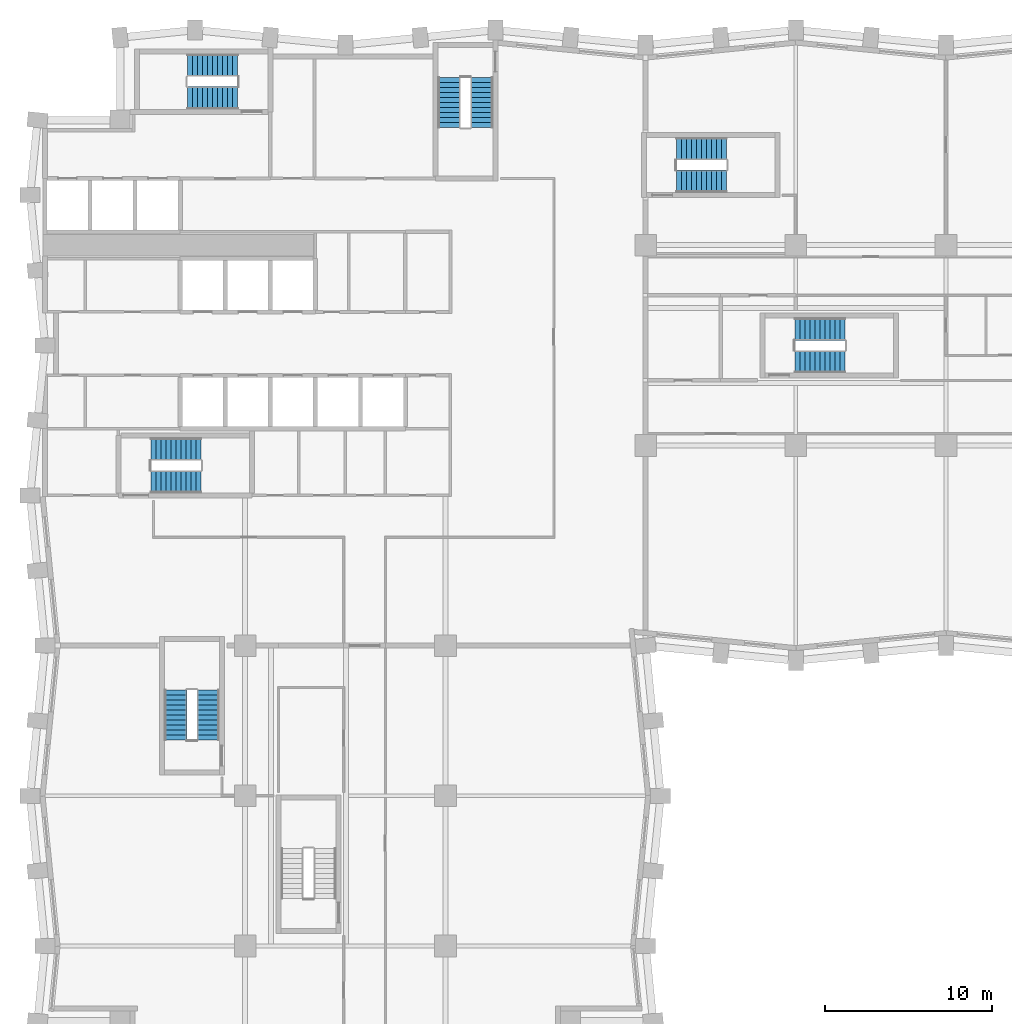
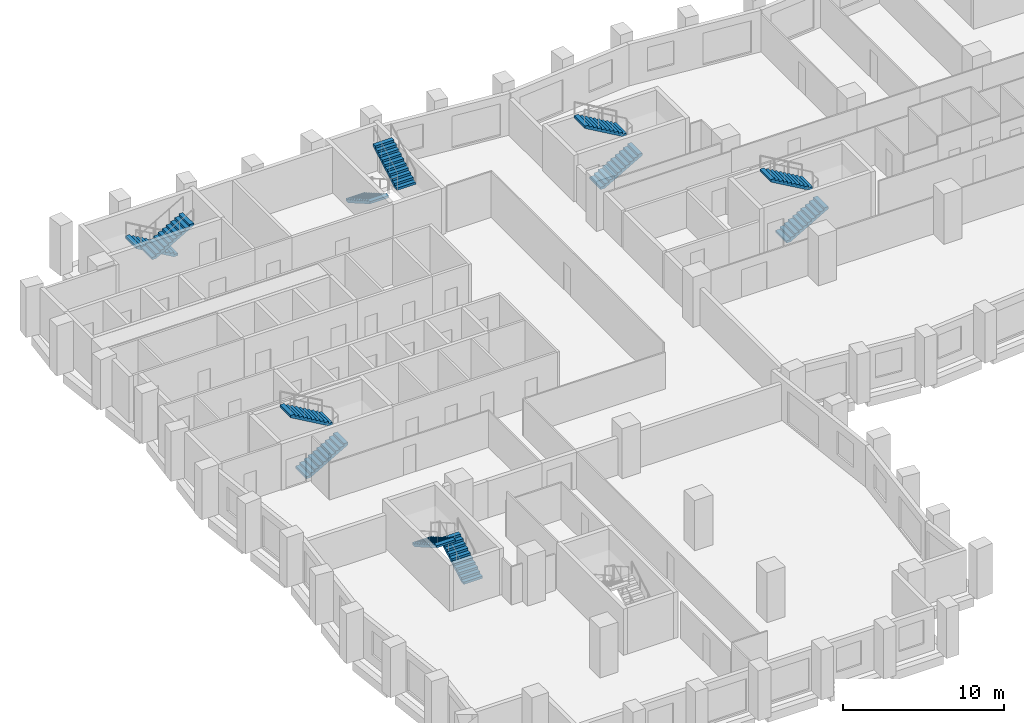
# One storey, part 9 of 11: 12 stair flights, 6 elements without a shape of their own.
"""IFC4 building model written with IfcOpenShell, lengths in metres."""

from ifc_helpers import new_model, si_unit, direction, frame, origin, place, context, subcontext, project, spatial, polyline, outline, extrude, material, type_object, element, aggregate, save


model = new_model("IFC4")

# Units and contexts
model_context = context("Model", 3, precision=1e-05, world=origin(), true_north=direction((0.0, 1.0)))
body_context = subcontext(model_context, "Body", "Model", "MODEL_VIEW")
ifc_project = project(units=[si_unit("LENGTHUNIT", "METRE"), si_unit("AREAUNIT", "SQUARE_METRE"), si_unit("VOLUMEUNIT", "CUBIC_METRE"), si_unit("PLANEANGLEUNIT", "RADIAN"), si_unit("MASSUNIT", "GRAM", prefix="KILO")], contexts=[model_context])

# Site, building, storey
site_placement = place(None, origin())
site = spatial("IfcSite", under=ifc_project, at=site_placement, CompositionType="ELEMENT")
building_placement = place(site_placement, origin())
building = spatial("IfcBuilding", under=site, at=building_placement, Name="Brondeck Convention Tower", CompositionType="ELEMENT")
storey_placement = place(building_placement, frame((0.0, 0.0, 111.300048828125)))
storey = spatial("IfcBuildingStorey", under=building, at=storey_placement, Name="L26", CompositionType="ELEMENT", Elevation=111.300048828125)

# Stair, stair flights
ifc_material = material(Name="Precast concrete C50/60", Category="concrete")
stair_type = type_object("IfcStairType", Name="Core stair 22 risers 172.73 mm riser 300 mm going 1350 wide", PredefinedType="HALF_TURN_STAIR", material=ifc_material)
stair_1_placement = place(storey_placement, origin())
stair_1 = element("IfcStair", 1, at=stair_1_placement, inside=storey, type_object=stair_type, Name="ST-1 L26 stair", PredefinedType="HALF_TURN_STAIR")
stair_flight_type = type_object("IfcStairFlightType", Name="Core stair flight 22 risers 172.73 mm riser 300 mm going 1350 wide", PredefinedType="STRAIGHT", material=ifc_material)
stair_flight_1_placement = place(storey_placement, frame((6.35009765625, 36.824951171875, 0.0), z_axis=(0.0, 0.0, 1.0), x_axis=(1.0, 0.0, 0.0)))
stair_flight_1 = element("IfcStairFlight", 2, at=stair_flight_1_placement, type_object=stair_flight_type, Name="ST-1 flight 1", NumberOfRisers=11, NumberOfTreads=10, PredefinedType="STRAIGHT", RiserHeight=0.172727273, TreadLength=0.3, context=body_context, shape_type="SweptSolid", body=[
    extrude(outline(polyline([(0.0, 0.0), (0.0, 0.172607421875), (0.300048828125, 0.172607421875), (0.300048828125, 0.345458984375), (0.60009765625, 0.345458984375), (0.60009765625, 0.51806640625), (0.89990234375, 0.51806640625), (0.89990234375, 0.69091796875), (1.199951171875, 0.69091796875), (1.199951171875, 0.863525390625), (1.5, 0.863525390625), (1.5, 1.036376953125), (1.800048828125, 1.036376953125), (1.800048828125, 1.208984375), (2.10009765625, 1.208984375), (2.10009765625, 1.3818359375), (2.39990234375, 1.3818359375), (2.39990234375, 1.554443359375), (2.699951171875, 1.554443359375), (2.699951171875, 1.727294921875), (3.0, 1.727294921875), (3.0, 1.89990234375), (3.0, 1.55419921875), (0.300537109375, 0.0), (0.0, 0.0)])), frame((0.0, 0.675048828125, 0.0), z_axis=(0.0, -1.0, 0.0), x_axis=(1.0, 0.0, 0.0)), (0.0, 0.0, 1.0), 1.35009765625),
])
stair_flight_2_placement = place(storey_placement, frame((9.35009765625, 38.77490234375, 1.89990234375), z_axis=(0.0, 0.0, 1.0), x_axis=(-1.0, 0.0, 0.0)))
stair_flight_2 = element("IfcStairFlight", 3, at=stair_flight_2_placement, type_object=stair_flight_type, Name="ST-1 flight 2", NumberOfRisers=11, NumberOfTreads=10, PredefinedType="STRAIGHT", RiserHeight=0.172727273, TreadLength=0.3, context=body_context, shape_type="SweptSolid", body=[
    extrude(outline(polyline([(0.0, 0.0), (0.0, 0.172607421875), (0.300048828125, 0.172607421875), (0.300048828125, 0.345458984375), (0.60009765625, 0.345458984375), (0.60009765625, 0.51806640625), (0.89990234375, 0.51806640625), (0.89990234375, 0.69091796875), (1.199951171875, 0.69091796875), (1.199951171875, 0.863525390625), (1.5, 0.863525390625), (1.5, 1.036376953125), (1.800048828125, 1.036376953125), (1.800048828125, 1.208984375), (2.10009765625, 1.208984375), (2.10009765625, 1.3818359375), (2.39990234375, 1.3818359375), (2.39990234375, 1.554443359375), (2.699951171875, 1.554443359375), (2.699951171875, 1.727294921875), (3.0, 1.727294921875), (3.0, 1.89990234375), (3.0, 1.55419921875), (0.300537109375, 0.0), (0.0, 0.0)])), frame((0.0, 0.675048828125, 0.0), z_axis=(0.0, -1.0, 0.0), x_axis=(1.0, 0.0, 0.0)), (0.0, 0.0, 1.0), 1.35009765625),
])
aggregate(stair_1, [stair_flight_1, stair_flight_2])

stair_2_placement = place(storey_placement, origin())
stair_2 = element("IfcStair", 4, at=stair_2_placement, inside=storey, type_object=stair_type, Name="ST-2 L26 stair", PredefinedType="HALF_TURN_STAIR")
stair_flight_3_placement = place(storey_placement, frame((24.22509765625, 61.050048828125, 0.0), z_axis=(0.0, 0.0, 1.0), x_axis=(0.0, -1.0, 0.0)))
stair_flight_3 = element("IfcStairFlight", 5, at=stair_flight_3_placement, type_object=stair_flight_type, Name="ST-2 flight 1", NumberOfRisers=11, NumberOfTreads=10, PredefinedType="STRAIGHT", RiserHeight=0.172727273, TreadLength=0.3, context=body_context, shape_type="SweptSolid", body=[
    extrude(outline(polyline([(0.0, 0.0), (0.0, 0.172607421875), (0.300048828125, 0.172607421875), (0.300048828125, 0.345458984375), (0.60009765625, 0.345458984375), (0.60009765625, 0.51806640625), (0.89990234375, 0.51806640625), (0.89990234375, 0.69091796875), (1.199951171875, 0.69091796875), (1.199951171875, 0.863525390625), (1.5, 0.863525390625), (1.5, 1.036376953125), (1.800048828125, 1.036376953125), (1.800048828125, 1.208984375), (2.10009765625, 1.208984375), (2.10009765625, 1.3818359375), (2.39990234375, 1.3818359375), (2.39990234375, 1.554443359375), (2.699951171875, 1.554443359375), (2.699951171875, 1.727294921875), (3.0, 1.727294921875), (3.0, 1.89990234375), (3.0, 1.55419921875), (0.300537109375, 0.0), (0.0, 0.0)])), frame((0.0, 0.675048828125, 0.0), z_axis=(0.0, -1.0, 0.0), x_axis=(1.0, 0.0, 0.0)), (0.0, 0.0, 1.0), 1.35009765625),
])
stair_flight_4_placement = place(storey_placement, frame((26.175048828125, 58.050048828125, 1.89990234375), z_axis=(0.0, 0.0, 1.0), x_axis=(0.0, 1.0, 0.0)))
stair_flight_4 = element("IfcStairFlight", 6, at=stair_flight_4_placement, type_object=stair_flight_type, Name="ST-2 flight 2", NumberOfRisers=11, NumberOfTreads=10, PredefinedType="STRAIGHT", RiserHeight=0.172727273, TreadLength=0.3, context=body_context, shape_type="SweptSolid", body=[
    extrude(outline(polyline([(0.0, 0.0), (0.0, 0.172607421875), (0.300048828125, 0.172607421875), (0.300048828125, 0.345458984375), (0.60009765625, 0.345458984375), (0.60009765625, 0.51806640625), (0.89990234375, 0.51806640625), (0.89990234375, 0.69091796875), (1.199951171875, 0.69091796875), (1.199951171875, 0.863525390625), (1.5, 0.863525390625), (1.5, 1.036376953125), (1.800048828125, 1.036376953125), (1.800048828125, 1.208984375), (2.10009765625, 1.208984375), (2.10009765625, 1.3818359375), (2.39990234375, 1.3818359375), (2.39990234375, 1.554443359375), (2.699951171875, 1.554443359375), (2.699951171875, 1.727294921875), (3.0, 1.727294921875), (3.0, 1.89990234375), (3.0, 1.55419921875), (0.300537109375, 0.0), (0.0, 0.0)])), frame((0.0, 0.675048828125, 0.0), z_axis=(0.0, -1.0, 0.0), x_axis=(1.0, 0.0, 0.0)), (0.0, 0.0, 1.0), 1.35009765625),
])
aggregate(stair_2, [stair_flight_3, stair_flight_4])

stair_3_placement = place(storey_placement, origin())
stair_3 = element("IfcStair", 7, at=stair_3_placement, inside=storey, type_object=stair_type, Name="ST-3 L26 stair", PredefinedType="HALF_TURN_STAIR")
stair_flight_5_placement = place(storey_placement, frame((11.550048828125, 61.77490234375, 0.0), z_axis=(0.0, 0.0, 1.0), x_axis=(-1.0, 0.0, 0.0)))
stair_flight_5 = element("IfcStairFlight", 8, at=stair_flight_5_placement, type_object=stair_flight_type, Name="ST-3 flight 1", NumberOfRisers=11, NumberOfTreads=10, PredefinedType="STRAIGHT", RiserHeight=0.172727273, TreadLength=0.3, context=body_context, shape_type="SweptSolid", body=[
    extrude(outline(polyline([(0.0, 0.0), (0.0, 0.172607421875), (0.300048828125, 0.172607421875), (0.300048828125, 0.345458984375), (0.60009765625, 0.345458984375), (0.60009765625, 0.51806640625), (0.89990234375, 0.51806640625), (0.89990234375, 0.69091796875), (1.199951171875, 0.69091796875), (1.199951171875, 0.863525390625), (1.5, 0.863525390625), (1.5, 1.036376953125), (1.800048828125, 1.036376953125), (1.800048828125, 1.208984375), (2.10009765625, 1.208984375), (2.10009765625, 1.3818359375), (2.39990234375, 1.3818359375), (2.39990234375, 1.554443359375), (2.699951171875, 1.554443359375), (2.699951171875, 1.727294921875), (3.0, 1.727294921875), (3.0, 1.89990234375), (3.0, 1.55419921875), (0.300537109375, 0.0), (0.0, 0.0)])), frame((0.0, 0.675048828125, 0.0), z_axis=(0.0, -1.0, 0.0), x_axis=(1.0, 0.0, 0.0)), (0.0, 0.0, 1.0), 1.35009765625),
])
stair_flight_6_placement = place(storey_placement, frame((8.550048828125, 59.824951171875, 1.89990234375), z_axis=(0.0, 0.0, 1.0), x_axis=(1.0, 0.0, 0.0)))
stair_flight_6 = element("IfcStairFlight", 9, at=stair_flight_6_placement, type_object=stair_flight_type, Name="ST-3 flight 2", NumberOfRisers=11, NumberOfTreads=10, PredefinedType="STRAIGHT", RiserHeight=0.172727273, TreadLength=0.3, context=body_context, shape_type="SweptSolid", body=[
    extrude(outline(polyline([(0.0, 0.0), (0.0, 0.172607421875), (0.300048828125, 0.172607421875), (0.300048828125, 0.345458984375), (0.60009765625, 0.345458984375), (0.60009765625, 0.51806640625), (0.89990234375, 0.51806640625), (0.89990234375, 0.69091796875), (1.199951171875, 0.69091796875), (1.199951171875, 0.863525390625), (1.5, 0.863525390625), (1.5, 1.036376953125), (1.800048828125, 1.036376953125), (1.800048828125, 1.208984375), (2.10009765625, 1.208984375), (2.10009765625, 1.3818359375), (2.39990234375, 1.3818359375), (2.39990234375, 1.554443359375), (2.699951171875, 1.554443359375), (2.699951171875, 1.727294921875), (3.0, 1.727294921875), (3.0, 1.89990234375), (3.0, 1.55419921875), (0.300537109375, 0.0), (0.0, 0.0)])), frame((0.0, 0.675048828125, 0.0), z_axis=(0.0, -1.0, 0.0), x_axis=(1.0, 0.0, 0.0)), (0.0, 0.0, 1.0), 1.35009765625),
])
aggregate(stair_3, [stair_flight_5, stair_flight_6])

stair_4_placement = place(storey_placement, origin())
stair_4 = element("IfcStair", 10, at=stair_4_placement, inside=storey, type_object=stair_type, Name="ST-AE L26 stair", PredefinedType="HALF_TURN_STAIR")
stair_flight_7_placement = place(storey_placement, frame((37.85009765625, 54.824951171875, 0.0), z_axis=(0.0, 0.0, 1.0), x_axis=(1.0, 0.0, 0.0)))
stair_flight_7 = element("IfcStairFlight", 11, at=stair_flight_7_placement, type_object=stair_flight_type, Name="ST-AE flight 1", NumberOfRisers=11, NumberOfTreads=10, PredefinedType="STRAIGHT", RiserHeight=0.172727273, TreadLength=0.3, context=body_context, shape_type="SweptSolid", body=[
    extrude(outline(polyline([(0.0, 0.0), (0.0, 0.172607421875), (0.300048828125, 0.172607421875), (0.300048828125, 0.345458984375), (0.60009765625, 0.345458984375), (0.60009765625, 0.51806640625), (0.89990234375, 0.51806640625), (0.89990234375, 0.69091796875), (1.199951171875, 0.69091796875), (1.199951171875, 0.863525390625), (1.5, 0.863525390625), (1.5, 1.036376953125), (1.800048828125, 1.036376953125), (1.800048828125, 1.208984375), (2.10009765625, 1.208984375), (2.10009765625, 1.3818359375), (2.39990234375, 1.3818359375), (2.39990234375, 1.554443359375), (2.699951171875, 1.554443359375), (2.699951171875, 1.727294921875), (3.0, 1.727294921875), (3.0, 1.89990234375), (3.0, 1.55419921875), (0.300537109375, 0.0), (0.0, 0.0)])), frame((0.0, 0.675048828125, 0.0), z_axis=(0.0, -1.0, 0.0), x_axis=(1.0, 0.0, 0.0)), (0.0, 0.0, 1.0), 1.35009765625),
])
stair_flight_8_placement = place(storey_placement, frame((40.85009765625, 56.77490234375, 1.89990234375), z_axis=(0.0, 0.0, 1.0), x_axis=(-1.0, 0.0, 0.0)))
stair_flight_8 = element("IfcStairFlight", 12, at=stair_flight_8_placement, type_object=stair_flight_type, Name="ST-AE flight 2", NumberOfRisers=11, NumberOfTreads=10, PredefinedType="STRAIGHT", RiserHeight=0.172727273, TreadLength=0.3, context=body_context, shape_type="SweptSolid", body=[
    extrude(outline(polyline([(0.0, 0.0), (0.0, 0.172607421875), (0.300048828125, 0.172607421875), (0.300048828125, 0.345458984375), (0.60009765625, 0.345458984375), (0.60009765625, 0.51806640625), (0.89990234375, 0.51806640625), (0.89990234375, 0.69091796875), (1.199951171875, 0.69091796875), (1.199951171875, 0.863525390625), (1.5, 0.863525390625), (1.5, 1.036376953125), (1.800048828125, 1.036376953125), (1.800048828125, 1.208984375), (2.10009765625, 1.208984375), (2.10009765625, 1.3818359375), (2.39990234375, 1.3818359375), (2.39990234375, 1.554443359375), (2.699951171875, 1.554443359375), (2.699951171875, 1.727294921875), (3.0, 1.727294921875), (3.0, 1.89990234375), (3.0, 1.55419921875), (0.300537109375, 0.0), (0.0, 0.0)])), frame((0.0, 0.675048828125, 0.0), z_axis=(0.0, -1.0, 0.0), x_axis=(1.0, 0.0, 0.0)), (0.0, 0.0, 1.0), 1.35009765625),
])
aggregate(stair_4, [stair_flight_7, stair_flight_8])

stair_5_placement = place(storey_placement, origin())
stair_5 = element("IfcStair", 13, at=stair_5_placement, inside=storey, type_object=stair_type, Name="ST-BE L26 stair", PredefinedType="HALF_TURN_STAIR")
stair_flight_9_placement = place(storey_placement, frame((9.77490234375, 21.35009765625, 0.0), z_axis=(0.0, 0.0, 1.0), x_axis=(0.0, 1.0, 0.0)))
stair_flight_9 = element("IfcStairFlight", 14, at=stair_flight_9_placement, type_object=stair_flight_type, Name="ST-BE flight 1", NumberOfRisers=11, NumberOfTreads=10, PredefinedType="STRAIGHT", RiserHeight=0.172727273, TreadLength=0.3, context=body_context, shape_type="SweptSolid", body=[
    extrude(outline(polyline([(0.0, 0.0), (0.0, 0.172607421875), (0.300048828125, 0.172607421875), (0.300048828125, 0.345458984375), (0.60009765625, 0.345458984375), (0.60009765625, 0.51806640625), (0.89990234375, 0.51806640625), (0.89990234375, 0.69091796875), (1.199951171875, 0.69091796875), (1.199951171875, 0.863525390625), (1.5, 0.863525390625), (1.5, 1.036376953125), (1.800048828125, 1.036376953125), (1.800048828125, 1.208984375), (2.10009765625, 1.208984375), (2.10009765625, 1.3818359375), (2.39990234375, 1.3818359375), (2.39990234375, 1.554443359375), (2.699951171875, 1.554443359375), (2.699951171875, 1.727294921875), (3.0, 1.727294921875), (3.0, 1.89990234375), (3.0, 1.55419921875), (0.300537109375, 0.0), (0.0, 0.0)])), frame((0.0, 0.675048828125, 0.0), z_axis=(0.0, -1.0, 0.0), x_axis=(1.0, 0.0, 0.0)), (0.0, 0.0, 1.0), 1.35009765625),
])
stair_flight_10_placement = place(storey_placement, frame((7.824951171875, 24.35009765625, 1.89990234375), z_axis=(0.0, 0.0, 1.0), x_axis=(0.0, -1.0, 0.0)))
stair_flight_10 = element("IfcStairFlight", 15, at=stair_flight_10_placement, type_object=stair_flight_type, Name="ST-BE flight 2", NumberOfRisers=11, NumberOfTreads=10, PredefinedType="STRAIGHT", RiserHeight=0.172727273, TreadLength=0.3, context=body_context, shape_type="SweptSolid", body=[
    extrude(outline(polyline([(0.0, 0.0), (0.0, 0.172607421875), (0.300048828125, 0.172607421875), (0.300048828125, 0.345458984375), (0.60009765625, 0.345458984375), (0.60009765625, 0.51806640625), (0.89990234375, 0.51806640625), (0.89990234375, 0.69091796875), (1.199951171875, 0.69091796875), (1.199951171875, 0.863525390625), (1.5, 0.863525390625), (1.5, 1.036376953125), (1.800048828125, 1.036376953125), (1.800048828125, 1.208984375), (2.10009765625, 1.208984375), (2.10009765625, 1.3818359375), (2.39990234375, 1.3818359375), (2.39990234375, 1.554443359375), (2.699951171875, 1.554443359375), (2.699951171875, 1.727294921875), (3.0, 1.727294921875), (3.0, 1.89990234375), (3.0, 1.55419921875), (0.300537109375, 0.0), (0.0, 0.0)])), frame((0.0, 0.675048828125, 0.0), z_axis=(0.0, -1.0, 0.0), x_axis=(1.0, 0.0, 0.0)), (0.0, 0.0, 1.0), 1.35009765625),
])
aggregate(stair_5, [stair_flight_9, stair_flight_10])

stair_6_placement = place(storey_placement, origin())
stair_6 = element("IfcStair", 16, at=stair_6_placement, inside=storey, type_object=stair_type, Name="ST-AF L26 stair", PredefinedType="HALF_TURN_STAIR")
stair_flight_11_placement = place(storey_placement, frame((44.949951171875, 44.02490234375, 0.0), z_axis=(0.0, 0.0, 1.0), x_axis=(1.0, 0.0, 0.0)))
stair_flight_11 = element("IfcStairFlight", 17, at=stair_flight_11_placement, type_object=stair_flight_type, Name="ST-AF flight 1", NumberOfRisers=11, NumberOfTreads=10, PredefinedType="STRAIGHT", RiserHeight=0.172727273, TreadLength=0.3, context=body_context, shape_type="SweptSolid", body=[
    extrude(outline(polyline([(0.0, 0.0), (0.0, 0.172607421875), (0.300048828125, 0.172607421875), (0.300048828125, 0.345458984375), (0.60009765625, 0.345458984375), (0.60009765625, 0.51806640625), (0.89990234375, 0.51806640625), (0.89990234375, 0.69091796875), (1.199951171875, 0.69091796875), (1.199951171875, 0.863525390625), (1.5, 0.863525390625), (1.5, 1.036376953125), (1.800048828125, 1.036376953125), (1.800048828125, 1.208984375), (2.10009765625, 1.208984375), (2.10009765625, 1.3818359375), (2.39990234375, 1.3818359375), (2.39990234375, 1.554443359375), (2.699951171875, 1.554443359375), (2.699951171875, 1.727294921875), (3.0, 1.727294921875), (3.0, 1.89990234375), (3.0, 1.55419921875), (0.300537109375, 0.0), (0.0, 0.0)])), frame((0.0, 0.675048828125, 0.0), z_axis=(0.0, -1.0, 0.0), x_axis=(1.0, 0.0, 0.0)), (0.0, 0.0, 1.0), 1.35009765625),
])
stair_flight_12_placement = place(storey_placement, frame((47.949951171875, 45.97509765625, 1.89990234375), z_axis=(0.0, 0.0, 1.0), x_axis=(-1.0, 0.0, 0.0)))
stair_flight_12 = element("IfcStairFlight", 18, at=stair_flight_12_placement, type_object=stair_flight_type, Name="ST-AF flight 2", NumberOfRisers=11, NumberOfTreads=10, PredefinedType="STRAIGHT", RiserHeight=0.172727273, TreadLength=0.3, context=body_context, shape_type="SweptSolid", body=[
    extrude(outline(polyline([(0.0, 0.0), (0.0, 0.172607421875), (0.300048828125, 0.172607421875), (0.300048828125, 0.345458984375), (0.60009765625, 0.345458984375), (0.60009765625, 0.51806640625), (0.89990234375, 0.51806640625), (0.89990234375, 0.69091796875), (1.199951171875, 0.69091796875), (1.199951171875, 0.863525390625), (1.5, 0.863525390625), (1.5, 1.036376953125), (1.800048828125, 1.036376953125), (1.800048828125, 1.208984375), (2.10009765625, 1.208984375), (2.10009765625, 1.3818359375), (2.39990234375, 1.3818359375), (2.39990234375, 1.554443359375), (2.699951171875, 1.554443359375), (2.699951171875, 1.727294921875), (3.0, 1.727294921875), (3.0, 1.89990234375), (3.0, 1.55419921875), (0.300537109375, 0.0), (0.0, 0.0)])), frame((0.0, 0.675048828125, 0.0), z_axis=(0.0, -1.0, 0.0), x_axis=(1.0, 0.0, 0.0)), (0.0, 0.0, 1.0), 1.35009765625),
])
aggregate(stair_6, [stair_flight_11, stair_flight_12])

save(model, "model.ifc")
